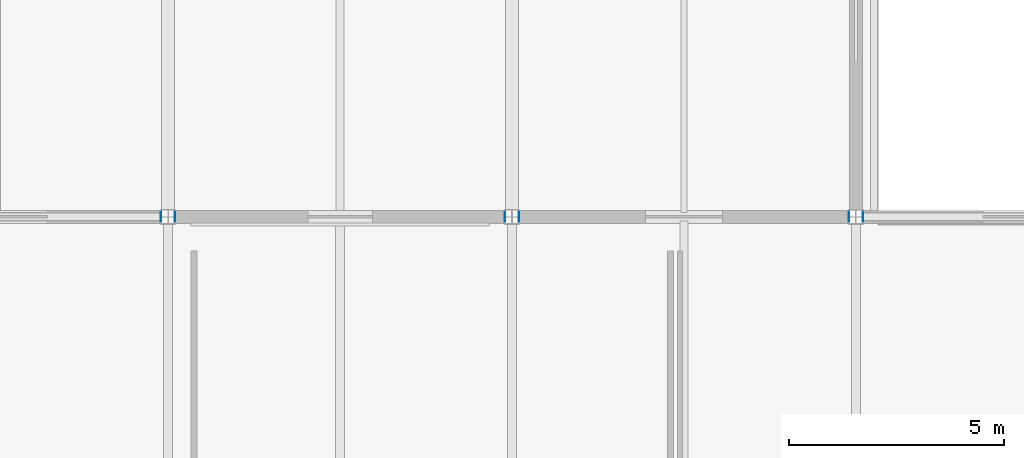
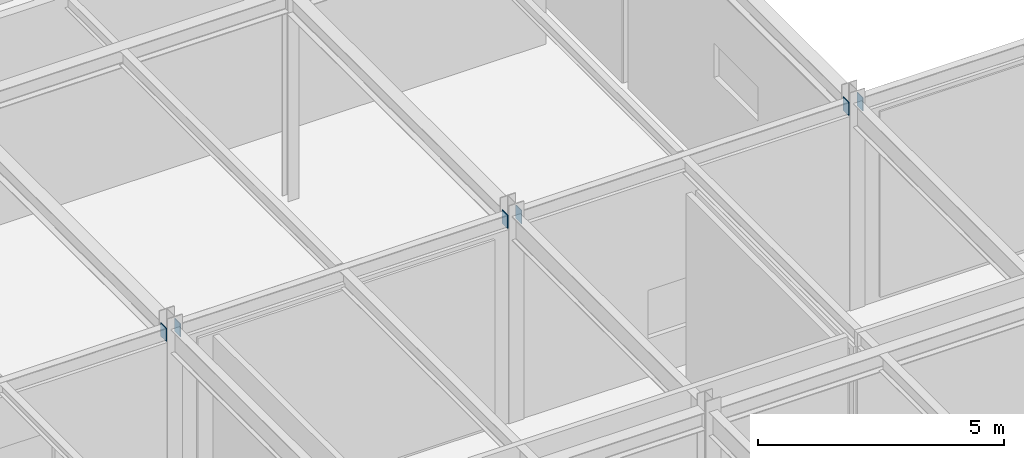
# One storey, part 143 of 184: 6 plates.
"""IFC4 building model written with IfcOpenShell, lengths in metres."""

from ifc_helpers import new_model, si_unit, direction, frame, origin, origin_2d, place, context, subcontext, project, spatial, rectangle, extrude, material, layer, layer_set, type_object, element, save


model = new_model("IFC4")

# Units and contexts
model_context = context("Model", 3, precision=1e-05, world=origin(), true_north=direction((0.0, 1.0)))
body_context = subcontext(model_context, "Body", "Model", "MODEL_VIEW")
ifc_project = project(units=[si_unit("LENGTHUNIT", "METRE"), si_unit("AREAUNIT", "SQUARE_METRE"), si_unit("VOLUMEUNIT", "CUBIC_METRE"), si_unit("PLANEANGLEUNIT", "RADIAN"), si_unit("MASSUNIT", "GRAM", prefix="KILO")], contexts=[model_context])

# Site, building, storey
site_placement = place(None, origin())
site = spatial("IfcSite", under=ifc_project, at=site_placement, CompositionType="ELEMENT")
building_placement = place(site_placement, origin())
building = spatial("IfcBuilding", under=site, at=building_placement, Name="Zhaolan Boulevard Law Courts", CompositionType="ELEMENT")
storey_placement = place(building_placement, frame((0.0, 0.0, 5.39990234375)))
storey = spatial("IfcBuildingStorey", under=building, at=storey_placement, Name="L01", CompositionType="ELEMENT", Elevation=5.39990234375)

# Plates
ifc_material = material(Name="Structural steel Q355B", Category="steel")
ifc_layer = layer(ifc_material, 0.02001953125)
ifc_layer_set = layer_set([ifc_layer])
plate_type = type_object("IfcPlateType", Name="END CAP PLATE 20", PredefinedType="SHEET", material=ifc_layer_set)
for number, where, z_axis, x_axis, name in (
    (1, (91.8369140625, 94.0, 4.802978515625), (0.0, 0.0, 1.0), (1.0, 0.0, 0.0), "Hollow Section End-Cap Plate ECP-0834"),
    (2, (92.1630859375, 94.0, 4.802978515625), (0.0, 0.0, 1.0), (1.0, 0.0, 0.0), "Hollow Section End-Cap Plate ECP-0835"),
    (3, (99.8369140625, 94.0, 4.802978515625), (0.0, 0.0, 1.0), (1.0, 0.0, 0.0), "Hollow Section End-Cap Plate ECP-0836"),
    (4, (100.1630859375, 94.0, 4.802978515625), (0.0, 0.0, 1.0), (1.0, 0.0, 0.0), "Hollow Section End-Cap Plate ECP-0837"),
    (5, (107.8369140625, 94.0, 4.802978515625), (0.0, 0.0, 1.0), (1.0, 0.0, 0.0), "Hollow Section End-Cap Plate ECP-0838"),
    (6, (108.1630859375, 94.0, 4.802978515625), (0.0, 0.0, 1.0), (1.0, 0.0, 0.0), "Hollow Section End-Cap Plate ECP-0839"),
):
    element("IfcPlate", number, at=place(storey_placement, frame(where, z_axis=z_axis, x_axis=x_axis)), inside=storey, type_object=plate_type, Name=name, PredefinedType="SHEET", context=body_context, shape_type="SweptSolid", body=[
        extrude(rectangle(XDim=0.02001953125, YDim=0.22998046875, at=origin_2d()), origin(), (0.0, 0.0, 1.0), 0.330078125),
    ])

save(model, "model.ifc")
